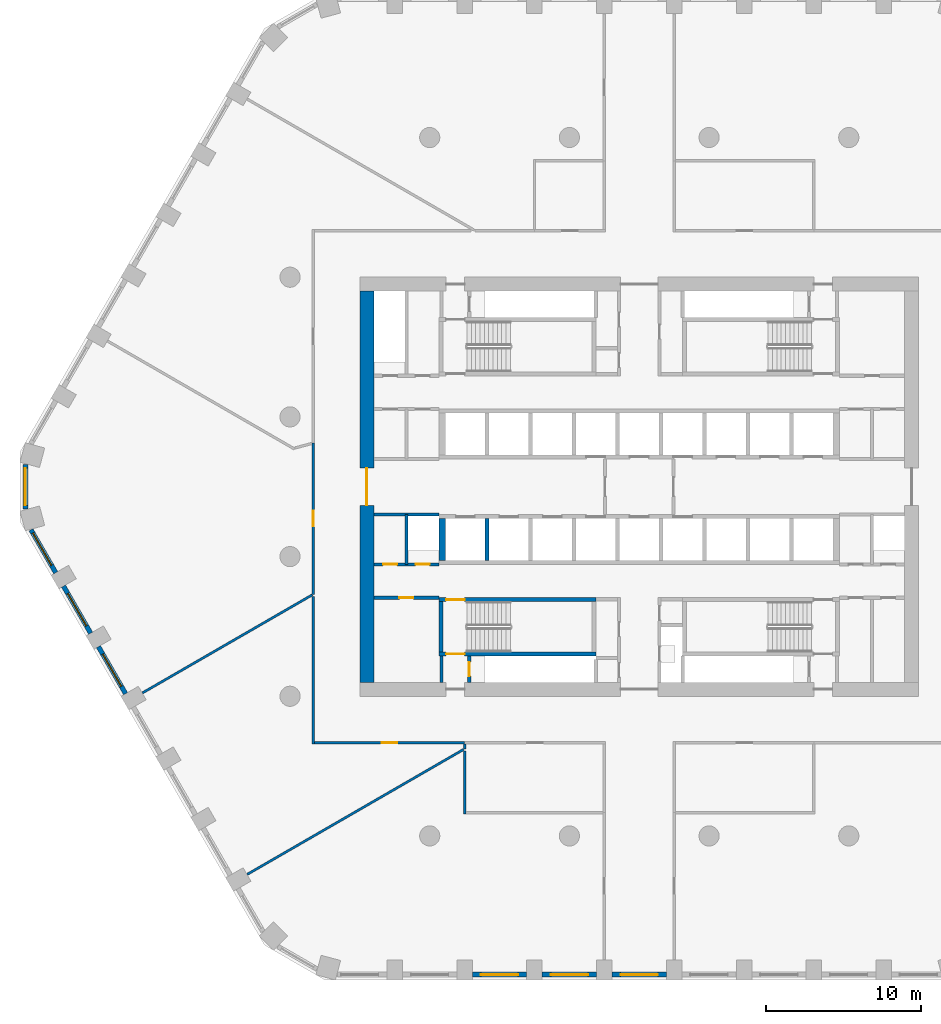
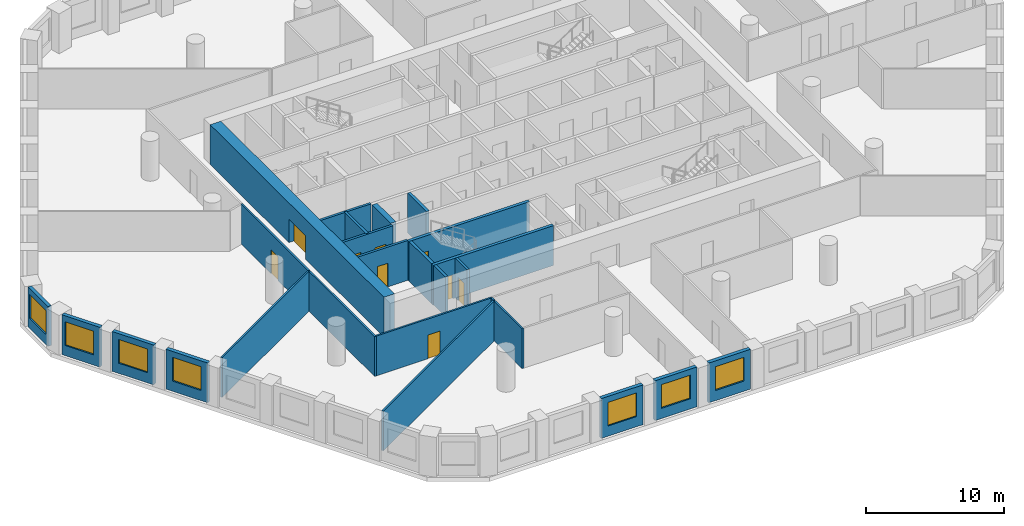
# One storey, part 2 of 10: 26 walls, 9 doors, 7 windows, 16 openings.
"""IFC4 building model written with IfcOpenShell, lengths in metres."""

from ifc_helpers import new_model, si_unit, direction, frame, frame_2d, origin, place, context, subcontext, project, spatial, polyline, rectangle, outline, extrude, material, layer, layer_set, type_object, element, fill, save


model = new_model("IFC4")

# Units and contexts
model_context = context("Model", 3, precision=1e-05, world=origin(), true_north=direction((0.0, 1.0)))
body_context = subcontext(model_context, "Body", "Model", "MODEL_VIEW")
ifc_project = project(units=[si_unit("LENGTHUNIT", "METRE"), si_unit("AREAUNIT", "SQUARE_METRE"), si_unit("VOLUMEUNIT", "CUBIC_METRE"), si_unit("PLANEANGLEUNIT", "RADIAN"), si_unit("MASSUNIT", "GRAM", prefix="KILO")], contexts=[model_context])

# Site, building, storey
site_placement = place(None, origin())
site = spatial("IfcSite", under=ifc_project, at=site_placement, CompositionType="ELEMENT")
building_placement = place(site_placement, origin())
building = spatial("IfcBuilding", under=site, at=building_placement, Name="Dhurran Vertical Campus", CompositionType="ELEMENT")
storey_placement = place(building_placement, frame((0.0, 0.0, 89.10009765625)))
storey = spatial("IfcBuildingStorey", under=building, at=storey_placement, Name="L21", CompositionType="ELEMENT", Elevation=89.10009765625)

# Wall, opening, window
ifc_material_1 = material(Name="Precast concrete C50/60", Category="concrete")
ifc_layer_1 = layer(ifc_material_1, 0.300048828125)
ifc_layer_set_1 = layer_set([ifc_layer_1], Name="Precast concrete C50/60")
wall_type_1 = type_object("IfcWallType", Name="Precast spandrel wall 300", PredefinedType="SOLIDWALL", material=ifc_layer_set_1)
wall_1_placement = place(storey_placement, frame((-10.74951171875, -31.4296875, 0.0), z_axis=(0.0, 0.0, 1.0), x_axis=(1.0, 0.0, 0.0)))
wall_1 = element("IfcWall", 1, at=wall_1_placement, inside=storey, type_object=wall_type_1, Name="EW1 L21.02", PredefinedType="SOLIDWALL", context=body_context, shape_type="SweptSolid", body=[
    extrude(rectangle(XDim=3.4990234375, YDim=0.300048828125, at=frame_2d((1.74951171875, 0.0))), origin(), (0.0, 0.0, 1.0), 3.52490234375),
])
opening_1_placement = place(wall_1_placement, frame((0.549560546875, 0.0, 0.89990234375)))
opening_1 = element("IfcOpeningElement", 2, at=opening_1_placement, cuts=wall_1, Name="Opening WT1", PredefinedType="OPENING", context=body_context, shape_type="SweptSolid", body=[
    extrude(rectangle(XDim=2.39990234375, YDim=2.10009765625, at=frame_2d((1.199951171875, 1.050048828125))), frame((0.0, 0.159912109375, 0.0), z_axis=(0.0, -1.0, 0.0), x_axis=(1.0, 0.0, 0.0)), (0.0, 0.0, 1.0), 0.320068359375),
])
ifc_material_2 = material(Name="Aluminium frame with solar-control glass", Category="aluminium")
window_type = type_object("IfcWindowType", Name="Punched window 2400 x 2100", PartitioningType="SINGLE_PANEL", PredefinedType="WINDOW", material=ifc_material_2)
window_1_placement = place(opening_1_placement, origin())
window_1 = element("IfcWindow", 3, at=window_1_placement, inside=storey, type_object=window_type, Name="WT1 L21.02", OverallHeight=2.10009765625, OverallWidth=2.39990234375, PartitioningType="SINGLE_PANEL", PredefinedType="WINDOW", context=body_context, shape_type="SweptSolid", body=[
    extrude(rectangle(XDim=2.39990234375, YDim=2.10009765625, at=frame_2d((1.199951171875, 1.050048828125))), frame((0.0, 0.030029296875, 0.0), z_axis=(0.0, -1.0, 0.0), x_axis=(1.0, 0.0, 0.0)), (0.0, 0.0, 1.0), 0.06005859375),
])
fill(opening_1, window_1)

wall_2_placement = place(storey_placement, frame((-6.24951171875, -31.4296875, 0.0), z_axis=(0.0, 0.0, 1.0), x_axis=(1.0, 0.0, 0.0)))
wall_2 = element("IfcWall", 4, at=wall_2_placement, inside=storey, type_object=wall_type_1, Name="EW1 L21.03", PredefinedType="SOLIDWALL", context=body_context, shape_type="SweptSolid", body=[
    extrude(rectangle(XDim=3.4990234375, YDim=0.300048828125, at=frame_2d((1.74951171875, 0.0))), origin(), (0.0, 0.0, 1.0), 3.52490234375),
])
opening_2_placement = place(wall_2_placement, frame((0.549560546875, 0.0, 0.89990234375)))
opening_2 = element("IfcOpeningElement", 5, at=opening_2_placement, cuts=wall_2, Name="Opening WT1", PredefinedType="OPENING", context=body_context, shape_type="SweptSolid", body=[
    extrude(rectangle(XDim=2.39990234375, YDim=2.10009765625, at=frame_2d((1.199951171875, 1.050048828125))), frame((0.0, 0.159912109375, 0.0), z_axis=(0.0, -1.0, 0.0), x_axis=(1.0, 0.0, 0.0)), (0.0, 0.0, 1.0), 0.320068359375),
])
window_2_placement = place(opening_2_placement, origin())
window_2 = element("IfcWindow", 6, at=window_2_placement, inside=storey, type_object=window_type, Name="WT1 L21.03", OverallHeight=2.10009765625, OverallWidth=2.39990234375, PartitioningType="SINGLE_PANEL", PredefinedType="WINDOW", context=body_context, shape_type="SweptSolid", body=[
    extrude(rectangle(XDim=2.39990234375, YDim=2.10009765625, at=frame_2d((1.199951171875, 1.050048828125))), frame((0.0, 0.030029296875, 0.0), z_axis=(0.0, -1.0, 0.0), x_axis=(1.0, 0.0, 0.0)), (0.0, 0.0, 1.0), 0.06005859375),
])
fill(opening_2, window_2)

wall_3_placement = place(storey_placement, frame((-1.74951171875, -31.4296875, 0.0), z_axis=(0.0, 0.0, 1.0), x_axis=(1.0, 0.0, 0.0)))
wall_3 = element("IfcWall", 7, at=wall_3_placement, inside=storey, type_object=wall_type_1, Name="EW1 L21.04", PredefinedType="SOLIDWALL", context=body_context, shape_type="SweptSolid", body=[
    extrude(rectangle(XDim=3.4990234375, YDim=0.300048828125, at=frame_2d((1.74951171875, 0.0))), origin(), (0.0, 0.0, 1.0), 3.52490234375),
])
opening_3_placement = place(wall_3_placement, frame((0.549560546875, 0.0, 0.89990234375)))
opening_3 = element("IfcOpeningElement", 8, at=opening_3_placement, cuts=wall_3, Name="Opening WT1", PredefinedType="OPENING", context=body_context, shape_type="SweptSolid", body=[
    extrude(rectangle(XDim=2.39990234375, YDim=2.10009765625, at=frame_2d((1.199951171875, 1.050048828125))), frame((0.0, 0.159912109375, 0.0), z_axis=(0.0, -1.0, 0.0), x_axis=(1.0, 0.0, 0.0)), (0.0, 0.0, 1.0), 0.320068359375),
])
window_3_placement = place(opening_3_placement, origin())
window_3 = element("IfcWindow", 9, at=window_3_placement, inside=storey, type_object=window_type, Name="WT1 L21.04", OverallHeight=2.10009765625, OverallWidth=2.39990234375, PartitioningType="SINGLE_PANEL", PredefinedType="WINDOW", context=body_context, shape_type="SweptSolid", body=[
    extrude(rectangle(XDim=2.39990234375, YDim=2.10009765625, at=frame_2d((1.199951171875, 1.050048828125))), frame((0.0, 0.030029296875, 0.0), z_axis=(0.0, -1.0, 0.0), x_axis=(1.0, 0.0, 0.0)), (0.0, 0.0, 1.0), 0.06005859375),
])
fill(opening_3, window_3)

wall_4_placement = place(storey_placement, frame((-39.547119140625, 1.44287109375, 0.0), z_axis=(0.0, 0.0, 1.0), x_axis=(0.0, -1.0, 0.0)))
wall_4 = element("IfcWall", 10, at=wall_4_placement, inside=storey, type_object=wall_type_1, Name="EW1 L21.43", PredefinedType="SOLIDWALL", context=body_context, shape_type="SweptSolid", body=[
    extrude(rectangle(XDim=2.8857421875, YDim=0.300048828125, at=frame_2d((1.44287109375, 0.0))), origin(), (0.0, 0.0, 1.0), 3.52490234375),
])
opening_4_placement = place(wall_4_placement, frame((0.242919921875, 0.0, 0.89990234375)))
opening_4 = element("IfcOpeningElement", 11, at=opening_4_placement, cuts=wall_4, Name="Opening WT1", PredefinedType="OPENING", context=body_context, shape_type="SweptSolid", body=[
    extrude(rectangle(XDim=2.39990234375, YDim=2.10009765625, at=frame_2d((1.199951171875, 1.050048828125))), frame((0.0, 0.159912109375, 0.0), z_axis=(0.0, -1.0, 0.0), x_axis=(1.0, 0.0, 0.0)), (0.0, 0.0, 1.0), 0.320068359375),
])
window_4_placement = place(opening_4_placement, origin())
window_4 = element("IfcWindow", 12, at=window_4_placement, inside=storey, type_object=window_type, Name="WT1 L21.43", OverallHeight=2.10009765625, OverallWidth=2.39990234375, PartitioningType="SINGLE_PANEL", PredefinedType="WINDOW", context=body_context, shape_type="SweptSolid", body=[
    extrude(rectangle(XDim=2.39990234375, YDim=2.10009765625, at=frame_2d((1.199951171875, 1.050048828125))), frame((0.0, 0.030029296875, 0.0), z_axis=(0.0, -1.0, 0.0), x_axis=(1.0, 0.0, 0.0)), (0.0, 0.0, 1.0), 0.06005859375),
])
fill(opening_4, window_4)

wall_5_placement = place(storey_placement, frame((-39.1904296875, -2.774169921875, 0.0), z_axis=(0.0, 0.0, 1.0), x_axis=(0.500004907028, -0.866022570692, 0.0)))
wall_5 = element("IfcWall", 13, at=wall_5_placement, inside=storey, type_object=wall_type_1, Name="EW1 L21.44", PredefinedType="SOLIDWALL", context=body_context, shape_type="SweptSolid", body=[
    extrude(rectangle(XDim=3.1923828125, YDim=0.300048828125, at=frame_2d((1.59619140625, 0.0))), origin(), (0.0, 0.0, 1.0), 3.52490234375),
])
opening_5_placement = place(wall_5_placement, frame((0.242919921875, 0.0, 0.89990234375)))
opening_5 = element("IfcOpeningElement", 14, at=opening_5_placement, cuts=wall_5, Name="Opening WT1", PredefinedType="OPENING", context=body_context, shape_type="SweptSolid", body=[
    extrude(rectangle(XDim=2.39990234375, YDim=2.10009765625, at=frame_2d((1.199951171875, 1.050048828125))), frame((0.0, 0.159912109375, 0.0), z_axis=(0.0, -1.0, 0.0), x_axis=(1.0, 0.0, 0.0)), (0.0, 0.0, 1.0), 0.320068359375),
])
window_5_placement = place(opening_5_placement, origin())
window_5 = element("IfcWindow", 15, at=window_5_placement, inside=storey, type_object=window_type, Name="WT1 L21.44", OverallHeight=2.10009765625, OverallWidth=2.39990234375, PartitioningType="SINGLE_PANEL", PredefinedType="WINDOW", context=body_context, shape_type="SweptSolid", body=[
    extrude(rectangle(XDim=2.39990234375, YDim=2.10009765625, at=frame_2d((1.199951171875, 1.050048828125))), frame((0.0, 0.030029296875, 0.0), z_axis=(0.0, -1.0, 0.0), x_axis=(1.0, 0.0, 0.0)), (0.0, 0.0, 1.0), 0.06005859375),
])
fill(opening_5, window_5)

wall_6_placement = place(storey_placement, frame((-37.09375, -6.405517578125, 0.0), z_axis=(0.0, 0.0, 1.0), x_axis=(0.499996256241, -0.866027565234, 0.0)))
wall_6 = element("IfcWall", 16, at=wall_6_placement, inside=storey, type_object=wall_type_1, Name="EW1 L21.45", PredefinedType="SOLIDWALL", context=body_context, shape_type="SweptSolid", body=[
    extrude(rectangle(XDim=3.4990234375, YDim=0.300048828125, at=frame_2d((1.74951171875, 0.0))), origin(), (0.0, 0.0, 1.0), 3.52490234375),
])
opening_6_placement = place(wall_6_placement, frame((0.549560546875, 0.0, 0.89990234375)))
opening_6 = element("IfcOpeningElement", 17, at=opening_6_placement, cuts=wall_6, Name="Opening WT1", PredefinedType="OPENING", context=body_context, shape_type="SweptSolid", body=[
    extrude(rectangle(XDim=2.39990234375, YDim=2.10009765625, at=frame_2d((1.199951171875, 1.050048828125))), frame((0.0, 0.159912109375, 0.0), z_axis=(0.0, -1.0, 0.0), x_axis=(1.0, 0.0, 0.0)), (0.0, 0.0, 1.0), 0.320068359375),
])
window_6_placement = place(opening_6_placement, origin())
window_6 = element("IfcWindow", 18, at=window_6_placement, inside=storey, type_object=window_type, Name="WT1 L21.45", OverallHeight=2.10009765625, OverallWidth=2.39990234375, PartitioningType="SINGLE_PANEL", PredefinedType="WINDOW", context=body_context, shape_type="SweptSolid", body=[
    extrude(rectangle(XDim=2.39990234375, YDim=2.10009765625, at=frame_2d((1.199951171875, 1.050048828125))), frame((0.0, 0.030029296875, 0.0), z_axis=(0.0, -1.0, 0.0), x_axis=(1.0, 0.0, 0.0)), (0.0, 0.0, 1.0), 0.06005859375),
])
fill(opening_6, window_6)

wall_7_placement = place(storey_placement, frame((-34.84375, -10.302734375, 0.0), z_axis=(0.0, 0.0, 1.0), x_axis=(0.499996256241, -0.866027565234, 0.0)))
wall_7 = element("IfcWall", 19, at=wall_7_placement, inside=storey, type_object=wall_type_1, Name="EW1 L21.46", PredefinedType="SOLIDWALL", context=body_context, shape_type="SweptSolid", body=[
    extrude(rectangle(XDim=3.4990234375, YDim=0.300048828125, at=frame_2d((1.74951171875, 0.0))), origin(), (0.0, 0.0, 1.0), 3.52490234375),
])
opening_7_placement = place(wall_7_placement, frame((0.549560546875, 0.0, 0.89990234375)))
opening_7 = element("IfcOpeningElement", 20, at=opening_7_placement, cuts=wall_7, Name="Opening WT1", PredefinedType="OPENING", context=body_context, shape_type="SweptSolid", body=[
    extrude(rectangle(XDim=2.39990234375, YDim=2.10009765625, at=frame_2d((1.199951171875, 1.050048828125))), frame((0.0, 0.159912109375, 0.0), z_axis=(0.0, -1.0, 0.0), x_axis=(1.0, 0.0, 0.0)), (0.0, 0.0, 1.0), 0.320068359375),
])
window_7_placement = place(opening_7_placement, origin())
window_7 = element("IfcWindow", 21, at=window_7_placement, inside=storey, type_object=window_type, Name="WT1 L21.46", OverallHeight=2.10009765625, OverallWidth=2.39990234375, PartitioningType="SINGLE_PANEL", PredefinedType="WINDOW", context=body_context, shape_type="SweptSolid", body=[
    extrude(rectangle(XDim=2.39990234375, YDim=2.10009765625, at=frame_2d((1.199951171875, 1.050048828125))), frame((0.0, 0.030029296875, 0.0), z_axis=(0.0, -1.0, 0.0), x_axis=(1.0, 0.0, 0.0)), (0.0, 0.0, 1.0), 0.06005859375),
])
fill(opening_7, window_7)

# Wall, opening, door
ifc_material_3 = material(Name="Concrete C60/75", Category="concrete")
ifc_layer_2 = layer(ifc_material_3, 0.89990234375)
ifc_layer_set_2 = layer_set([ifc_layer_2], Name="Concrete C60/75")
wall_type_2 = type_object("IfcWallType", Name="co-CORE-WALL-C0-900", PredefinedType="SHEAR", material=ifc_layer_set_2)
wall_8_placement = place(storey_placement, frame((-17.550048828125, -12.60009765625, 0.0), z_axis=(0.0, 0.0, 1.0), x_axis=(0.0, 1.0, 0.0)))
wall_8 = element("IfcWall", 22, at=wall_8_placement, inside=storey, type_object=wall_type_2, Name="Core wall W L21", PredefinedType="SHEAR", context=body_context, shape_type="SweptSolid", body=[
    extrude(rectangle(XDim=25.2001953125, YDim=0.89990234375, at=frame_2d((12.60009765625, 0.0))), origin(), (0.0, 0.0, 1.0), 3.52490234375),
])
opening_8_placement = place(wall_8_placement, frame((11.39990234375, 0.0, 0.0)))
opening_8 = element("IfcOpeningElement", 23, at=opening_8_placement, cuts=wall_8, Name="Opening CL1", PredefinedType="OPENING", context=body_context, shape_type="SweptSolid", body=[
    extrude(rectangle(XDim=2.39990234375, YDim=2.10009765625, at=frame_2d((1.199951171875, 1.050048828125))), frame((0.0, 0.4599609375, 0.0), z_axis=(0.0, -1.0, 0.0), x_axis=(1.0, 0.0, 0.0)), (0.0, 0.0, 1.0), 0.919921875),
])
ifc_material_4 = material(Name="Fire-rated glazed door set")
door_type_1 = type_object("IfcDoorType", Name="co-D-LOBBY 2400x2100", OperationType="DOUBLE_DOOR_DOUBLE_SWING", PredefinedType="DOOR", material=ifc_material_4)
door_1_placement = place(opening_8_placement, origin())
door_1 = element("IfcDoor", 24, at=door_1_placement, inside=storey, type_object=door_type_1, Name="Lift lobby door W L21", OperationType="DOUBLE_DOOR_DOUBLE_SWING", OverallHeight=2.10009765625, OverallWidth=2.39990234375, PredefinedType="DOOR", context=body_context, shape_type="SweptSolid", body=[
    extrude(rectangle(XDim=2.39990234375, YDim=2.10009765625, at=frame_2d((1.199951171875, 1.050048828125))), frame((0.0, 0.02490234375, 0.0), z_axis=(0.0, -1.0, 0.0), x_axis=(1.0, 0.0, 0.0)), (0.0, 0.0, 1.0), 0.050048828125),
])
fill(opening_8, door_1)

# Wall
ifc_material_5 = material(Name="Fire-rated masonry blockwork", Category="masonry")
ifc_layer_3 = layer(ifc_material_5, 0.199951171875)
ifc_layer_set_3 = layer_set([ifc_layer_3], Name="Fire-rated masonry blockwork")
wall_type_3 = type_object("IfcWallType", Name="co-FIRE-PARTITION-200", PredefinedType="PARTITIONING", material=ifc_layer_set_3)
wall_9_placement = place(storey_placement, frame((-12.75, -12.60009765625, 0.0), z_axis=(0.0, 0.0, 1.0), x_axis=(0.0, 1.0, 0.0)))
element("IfcWall", 25, at=wall_9_placement, inside=storey, type_object=wall_type_3, Name="Core partition pass-ST3-o L21", PredefinedType="PARTITIONING", context=body_context, shape_type="SweptSolid", body=[
    extrude(rectangle(XDim=1.7001953125, YDim=0.199951171875, at=frame_2d((0.85009765625, 0.0))), origin(), (0.0, 0.0, 1.0), 3.52490234375),
])

# Wall, opening, door
wall_10_placement = place(storey_placement, frame((-10.949951171875, -12.60009765625, 0.0), z_axis=(0.0, 0.0, 1.0), x_axis=(0.0, 1.0, 0.0)))
wall_10 = element("IfcWall", 26, at=wall_10_placement, inside=storey, type_object=wall_type_3, Name="Core partition pass-ST3-i L21", PredefinedType="PARTITIONING", context=body_context, shape_type="SweptSolid", body=[
    extrude(rectangle(XDim=1.7001953125, YDim=0.199951171875, at=frame_2d((0.85009765625, 0.0))), origin(), (0.0, 0.0, 1.0), 3.52490234375),
])
opening_9_placement = place(wall_10_placement, frame((0.39990234375, 0.0, 0.0)))
opening_9 = element("IfcOpeningElement", 27, at=opening_9_placement, cuts=wall_10, Name="Opening T05-C10", PredefinedType="OPENING", context=body_context, shape_type="SweptSolid", body=[
    extrude(rectangle(XDim=0.89990234375, YDim=2.10009765625, at=frame_2d((0.449951171875, 1.050048828125))), frame((0.0, 0.10986328125, 0.0), z_axis=(0.0, -1.0, 0.0), x_axis=(1.0, 0.0, 0.0)), (0.0, 0.0, 1.0), 0.219970703125),
])
ifc_material_6 = material(Name="Fire-rated timber door set", Category="wood")
door_type_2 = type_object("IfcDoorType", Name="co-D-ROOM 900x2100", OperationType="SINGLE_SWING_LEFT", PredefinedType="DOOR", material=ifc_material_6)
door_2_placement = place(opening_9_placement, origin())
door_2 = element("IfcDoor", 28, at=door_2_placement, inside=storey, type_object=door_type_2, Name="Riser room door L21", OperationType="SINGLE_SWING_LEFT", OverallHeight=2.10009765625, OverallWidth=0.89990234375, PredefinedType="DOOR", context=body_context, shape_type="SweptSolid", body=[
    extrude(rectangle(XDim=0.89990234375, YDim=2.10009765625, at=frame_2d((0.449951171875, 1.050048828125))), frame((0.0, 0.02490234375, 0.0), z_axis=(0.0, -1.0, 0.0), x_axis=(1.0, 0.0, 0.0)), (0.0, 0.0, 1.0), 0.050048828125),
])
fill(opening_9, door_2)

wall_11_placement = place(storey_placement, frame((-17.10009765625, -7.14990234375, 0.0), z_axis=(0.0, 0.0, 1.0), x_axis=(1.0, 0.0, 0.0)))
wall_11 = element("IfcWall", 29, at=wall_11_placement, inside=storey, type_object=wall_type_3, Name="Core partition en-SW-w L21", PredefinedType="PARTITIONING", context=body_context, shape_type="SweptSolid", body=[
    extrude(rectangle(XDim=4.2001953125, YDim=0.199951171875, at=frame_2d((2.10009765625, 0.0))), origin(), (0.0, 0.0, 1.0), 3.52490234375),
])
opening_10_placement = place(wall_11_placement, frame((1.64990234375, 0.0, 0.0)))
opening_10 = element("IfcOpeningElement", 30, at=opening_10_placement, cuts=wall_11, Name="Opening T05-C19", PredefinedType="OPENING", context=body_context, shape_type="SweptSolid", body=[
    extrude(rectangle(XDim=0.89990234375, YDim=2.10009765625, at=frame_2d((0.449951171875, 1.050048828125))), frame((0.0, 0.10986328125, 0.0), z_axis=(0.0, -1.0, 0.0), x_axis=(1.0, 0.0, 0.0)), (0.0, 0.0, 1.0), 0.219970703125),
])
door_3_placement = place(opening_10_placement, origin())
door_3 = element("IfcDoor", 31, at=door_3_placement, inside=storey, type_object=door_type_2, Name="Store door L21", OperationType="SINGLE_SWING_LEFT", OverallHeight=2.10009765625, OverallWidth=0.89990234375, PredefinedType="DOOR", context=body_context, shape_type="SweptSolid", body=[
    extrude(rectangle(XDim=0.89990234375, YDim=2.10009765625, at=frame_2d((0.449951171875, 1.050048828125))), frame((0.0, 0.02490234375, 0.0), z_axis=(0.0, -1.0, 0.0), x_axis=(1.0, 0.0, 0.0)), (0.0, 0.0, 1.0), 0.050048828125),
])
fill(opening_10, door_3)

# Wall
wall_12_placement = place(storey_placement, frame((-15.0, -5.0, 0.0), z_axis=(0.0, 0.0, 1.0), x_axis=(0.0, 1.0, 0.0)))
element("IfcWall", 32, at=wall_12_placement, inside=storey, type_object=wall_type_3, Name="Core partition es-SW-cut0 L21", PredefinedType="PARTITIONING", context=body_context, shape_type="SweptSolid", body=[
    extrude(rectangle(XDim=3.199951171875, YDim=0.199951171875, at=frame_2d((1.60009765625, 0.0))), origin(), (0.0, 0.0, 1.0), 3.52490234375),
])

# Wall, openings, doors
wall_13_placement = place(storey_placement, frame((-17.10009765625, -5.0, 0.0), z_axis=(0.0, 0.0, 1.0), x_axis=(1.0, 0.0, 0.0)))
wall_13 = element("IfcWall", 33, at=wall_13_placement, inside=storey, type_object=wall_type_3, Name="Core partition es-SW-w L21", PredefinedType="PARTITIONING", context=body_context, shape_type="SweptSolid", body=[
    extrude(rectangle(XDim=4.2001953125, YDim=0.199951171875, at=frame_2d((2.10009765625, 0.0))), origin(), (0.0, 0.0, 1.0), 3.52490234375),
])
opening_11_placement = place(wall_13_placement, frame((0.60009765625, 0.0, 0.0)))
opening_11 = element("IfcOpeningElement", 34, at=opening_11_placement, cuts=wall_13, Name="Opening T05-C20", PredefinedType="OPENING", context=body_context, shape_type="SweptSolid", body=[
    extrude(rectangle(XDim=0.89990234375, YDim=2.10009765625, at=frame_2d((0.449951171875, 1.050048828125))), frame((0.0, 0.10986328125, 0.0), z_axis=(0.0, -1.0, 0.0), x_axis=(1.0, 0.0, 0.0)), (0.0, 0.0, 1.0), 0.219970703125),
])
opening_12_placement = place(wall_13_placement, frame((2.699951171875, 0.0, 0.0)))
opening_12 = element("IfcOpeningElement", 35, at=opening_12_placement, cuts=wall_13, Name="Opening T05-C21", PredefinedType="OPENING", context=body_context, shape_type="SweptSolid", body=[
    extrude(rectangle(XDim=0.89990234375, YDim=2.10009765625, at=frame_2d((0.449951171875, 1.050048828125))), frame((0.0, 0.10986328125, 0.0), z_axis=(0.0, -1.0, 0.0), x_axis=(1.0, 0.0, 0.0)), (0.0, 0.0, 1.0), 0.219970703125),
])
door_4_placement = place(opening_11_placement, origin())
door_4 = element("IfcDoor", 36, at=door_4_placement, inside=storey, type_object=door_type_2, Name="Waste room door L21", OperationType="SINGLE_SWING_LEFT", OverallHeight=2.10009765625, OverallWidth=0.89990234375, PredefinedType="DOOR", context=body_context, shape_type="SweptSolid", body=[
    extrude(rectangle(XDim=0.89990234375, YDim=2.10009765625, at=frame_2d((0.449951171875, 1.050048828125))), frame((0.0, 0.02490234375, 0.0), z_axis=(0.0, -1.0, 0.0), x_axis=(1.0, 0.0, 0.0)), (0.0, 0.0, 1.0), 0.050048828125),
])
fill(opening_11, door_4)
door_5_placement = place(opening_12_placement, origin())
door_5 = element("IfcDoor", 37, at=door_5_placement, inside=storey, type_object=door_type_2, Name="Water riser door L21", OperationType="SINGLE_SWING_LEFT", OverallHeight=2.10009765625, OverallWidth=0.89990234375, PredefinedType="DOOR", context=body_context, shape_type="SweptSolid", body=[
    extrude(rectangle(XDim=0.89990234375, YDim=2.10009765625, at=frame_2d((0.449951171875, 1.050048828125))), frame((0.0, 0.02490234375, 0.0), z_axis=(0.0, -1.0, 0.0), x_axis=(1.0, 0.0, 0.0)), (0.0, 0.0, 1.0), 0.050048828125),
])
fill(opening_12, door_5)

# Walls
wall_14_placement = place(storey_placement, frame((-17.10009765625, -1.800048828125, 0.0), z_axis=(0.0, 0.0, 1.0), x_axis=(1.0, 0.0, 0.0)))
element("IfcWall", 38, at=wall_14_placement, inside=storey, type_object=wall_type_3, Name="Core partition es-SW-l L21", PredefinedType="PARTITIONING", context=body_context, shape_type="SweptSolid", body=[
    extrude(rectangle(XDim=4.2001953125, YDim=0.199951171875, at=frame_2d((2.10009765625, 0.0))), origin(), (0.0, 0.0, 1.0), 3.52490234375),
])
ifc_material_7 = material(Name="Concrete C50/60", Category="concrete")
ifc_layer_4 = layer(ifc_material_7, 0.25)
ifc_layer_set_4 = layer_set([ifc_layer_4], Name="Concrete C50/60")
wall_type_4 = type_object("IfcWallType", Name="co-SHAFT-MASS-250", PredefinedType="SHEAR", material=ifc_layer_set_4)
wall_15_placement = place(storey_placement, origin())
element("IfcWall", 39, at=wall_15_placement, inside=storey, type_object=wall_type_4, Name="Lift shaft wall S L21 2", PredefinedType="SHEAR", context=body_context, shape_type="SweptSolid", body=[
    extrude(outline(polyline([(-12.89990234375, -4.75), (-12.47509765625, -4.75), (-12.47509765625, -2.050048828125), (-12.89990234375, -2.050048828125), (-12.89990234375, -4.75)])), origin(), (0.0, 0.0, 1.0), 3.52490234375),
])
wall_16_placement = place(storey_placement, origin())
element("IfcWall", 40, at=wall_16_placement, inside=storey, type_object=wall_type_4, Name="Lift shaft wall S L21 3", PredefinedType="SHEAR", context=body_context, shape_type="SweptSolid", body=[
    extrude(outline(polyline([(-9.925048828125, -4.75), (-9.675048828125, -4.75), (-9.675048828125, -2.050048828125), (-9.925048828125, -2.050048828125), (-9.925048828125, -4.75)])), origin(), (0.0, 0.0, 1.0), 3.52490234375),
])

# Wall, opening, door
ifc_material_8 = material(Name="Concrete C40/50", Category="concrete")
ifc_layer_5 = layer(ifc_material_8, 0.25)
ifc_layer_set_5 = layer_set([ifc_layer_5], Name="Concrete C40/50")
wall_type_5 = type_object("IfcWallType", Name="co-STAIR-WALL-250", PredefinedType="SHEAR", material=ifc_layer_set_5)
wall_17_placement = place(storey_placement, frame((-12.89990234375, -10.77490234375, 0.0), z_axis=(0.0, 0.0, 1.0), x_axis=(1.0, 0.0, 0.0)))
wall_17 = element("IfcWall", 41, at=wall_17_placement, inside=storey, type_object=wall_type_5, Name="Stair ST3 enclosure wall L21", PredefinedType="SHEAR", context=body_context, shape_type="SweptSolid", body=[
    extrude(rectangle(XDim=10.099853515625, YDim=0.25, at=frame_2d((5.0498046875, 0.0))), origin(), (0.0, 0.0, 1.0), 3.52490234375),
])
opening_13_placement = place(wall_17_placement, frame((0.449951171875, 0.0, 0.0)))
opening_13 = element("IfcOpeningElement", 42, at=opening_13_placement, cuts=wall_17, Name="Opening XS3", PredefinedType="OPENING", context=body_context, shape_type="SweptSolid", body=[
    extrude(rectangle(XDim=1.199951171875, YDim=2.10009765625, at=frame_2d((0.60009765625, 1.050048828125))), frame((0.0, 0.135009765625, 0.0), z_axis=(0.0, -1.0, 0.0), x_axis=(1.0, 0.0, 0.0)), (0.0, 0.0, 1.0), 0.27001953125),
])
ifc_material_9 = material(Name="Fire-rated steel door set", Category="steel")
door_type_3 = type_object("IfcDoorType", Name="co-D-STAIR-EXIT 1200x2100", OperationType="SINGLE_SWING_RIGHT", PredefinedType="DOOR", material=ifc_material_9)
door_6_placement = place(opening_13_placement, origin())
door_6 = element("IfcDoor", 43, at=door_6_placement, inside=storey, type_object=door_type_3, Name="Stair ST3 discharge door L21", OperationType="SINGLE_SWING_RIGHT", OverallHeight=2.10009765625, OverallWidth=1.199951171875, PredefinedType="DOOR", context=body_context, shape_type="SweptSolid", body=[
    extrude(rectangle(XDim=1.199951171875, YDim=2.10009765625, at=frame_2d((0.60009765625, 1.050048828125))), frame((0.0, 0.02490234375, 0.0), z_axis=(0.0, -1.0, 0.0), x_axis=(1.0, 0.0, 0.0)), (0.0, 0.0, 1.0), 0.050048828125),
])
fill(opening_13, door_6)

wall_18_placement = place(storey_placement, frame((-12.89990234375, -7.27490234375, 0.0), z_axis=(0.0, 0.0, 1.0), x_axis=(1.0, 0.0, 0.0)))
wall_18 = element("IfcWall", 44, at=wall_18_placement, inside=storey, type_object=wall_type_5, Name="Stair ST3 enclosure wall L21", PredefinedType="SHEAR", context=body_context, shape_type="SweptSolid", body=[
    extrude(rectangle(XDim=10.099853515625, YDim=0.25, at=frame_2d((5.0498046875, 0.0))), origin(), (0.0, 0.0, 1.0), 3.52490234375),
])
opening_14_placement = place(wall_18_placement, frame((0.449951171875, 0.0, 0.0)))
opening_14 = element("IfcOpeningElement", 45, at=opening_14_placement, cuts=wall_18, Name="Opening SD3", PredefinedType="OPENING", context=body_context, shape_type="SweptSolid", body=[
    extrude(rectangle(XDim=1.199951171875, YDim=2.10009765625, at=frame_2d((0.60009765625, 1.050048828125))), frame((0.0, 0.135009765625, 0.0), z_axis=(0.0, -1.0, 0.0), x_axis=(1.0, 0.0, 0.0)), (0.0, 0.0, 1.0), 0.27001953125),
])
ifc_material_10 = material(Name="Fire-rated steel door set", Category="steel")
door_type_4 = type_object("IfcDoorType", Name="co-D-STAIR 1200x2100", OperationType="SINGLE_SWING_LEFT", PredefinedType="DOOR", material=ifc_material_10)
door_7_placement = place(opening_14_placement, origin())
door_7 = element("IfcDoor", 46, at=door_7_placement, inside=storey, type_object=door_type_4, Name="Stair ST3 door L21", OperationType="SINGLE_SWING_LEFT", OverallHeight=2.10009765625, OverallWidth=1.199951171875, PredefinedType="DOOR", context=body_context, shape_type="SweptSolid", body=[
    extrude(rectangle(XDim=1.199951171875, YDim=2.10009765625, at=frame_2d((0.60009765625, 1.050048828125))), frame((0.0, 0.02490234375, 0.0), z_axis=(0.0, -1.0, 0.0), x_axis=(1.0, 0.0, 0.0)), (0.0, 0.0, 1.0), 0.050048828125),
])
fill(opening_14, door_7)

# Walls
wall_19_placement = place(storey_placement, frame((-12.77490234375, -10.64990234375, 0.0), z_axis=(0.0, 0.0, 1.0), x_axis=(0.0, 1.0, 0.0)))
element("IfcWall", 47, at=wall_19_placement, inside=storey, type_object=wall_type_5, Name="Stair ST3 enclosure wall L21", PredefinedType="SHEAR", context=body_context, shape_type="SweptSolid", body=[
    extrude(rectangle(XDim=3.25, YDim=0.25, at=frame_2d((1.625, 0.0))), origin(), (0.0, 0.0, 1.0), 3.52490234375),
])
ifc_material_11 = material(Name="Gypsum board corridor wall on steel studs", Category="steel")
ifc_layer_6 = layer(ifc_material_11, 0.14990234375)
ifc_layer_set_6 = layer_set([ifc_layer_6], Name="Gypsum board corridor wall on steel studs")
wall_type_6 = type_object("IfcWallType", Name="fl-CW-150 corridor wall", PredefinedType="PARTITIONING", material=ifc_layer_set_6)
wall_20_placement = place(storey_placement, frame((-21.0, -7.05810546875, 0.0), z_axis=(0.0, 0.0, 1.0), x_axis=(0.0, -1.0, 0.0)))
element("IfcWall", 48, at=wall_20_placement, inside=storey, type_object=wall_type_6, Name="Partition 21-06", PredefinedType="PARTITIONING", context=body_context, shape_type="SweptSolid", body=[
    extrude(rectangle(XDim=9.516845703125, YDim=0.14990234375, at=frame_2d((4.75830078125, 0.0))), origin(), (0.0, 0.0, 1.0), 3.52490234375),
])

# Wall, opening, door
wall_21_placement = place(storey_placement, frame((-20.925048828125, -16.5, 0.0), z_axis=(0.0, 0.0, 1.0), x_axis=(1.0, 0.0, 0.0)))
wall_21 = element("IfcWall", 49, at=wall_21_placement, inside=storey, type_object=wall_type_6, Name="Partition 21-07", PredefinedType="PARTITIONING", context=body_context, shape_type="SweptSolid", body=[
    extrude(rectangle(XDim=9.675048828125, YDim=0.14990234375, at=frame_2d((4.83740234375, 0.0))), origin(), (0.0, 0.0, 1.0), 3.52490234375),
])
opening_15_placement = place(wall_21_placement, frame((4.33740234375, 0.0, 0.0)))
opening_15 = element("IfcOpeningElement", 50, at=opening_15_placement, cuts=wall_21, Name="Opening T05.03", PredefinedType="OPENING", context=body_context, shape_type="SweptSolid", body=[
    extrude(rectangle(XDim=1.0, YDim=2.10009765625, at=frame_2d((0.5, 1.050048828125))), frame((0.0, 0.0849609375, 0.0), z_axis=(0.0, -1.0, 0.0), x_axis=(1.0, 0.0, 0.0)), (0.0, 0.0, 1.0), 0.169921875),
])
ifc_material_12 = material(Name="Solid-core timber door set, fire-rated", Category="wood")
door_type_5 = type_object("IfcDoorType", Name="fl-D-1000x2100", OperationType="SINGLE_SWING_LEFT", PredefinedType="DOOR", material=ifc_material_12)
door_8_placement = place(opening_15_placement, origin())
door_8 = element("IfcDoor", 51, at=door_8_placement, inside=storey, type_object=door_type_5, Name="Door 21.03", OperationType="SINGLE_SWING_LEFT", OverallHeight=2.10009765625, OverallWidth=1.0, PredefinedType="DOOR", context=body_context, shape_type="SweptSolid", body=[
    extrude(rectangle(XDim=1.0, YDim=2.10009765625, at=frame_2d((0.5, 1.050048828125))), frame((0.0, 0.02490234375, 0.0), z_axis=(0.0, -1.0, 0.0), x_axis=(1.0, 0.0, 0.0)), (0.0, 0.0, 1.0), 0.050048828125),
])
fill(opening_15, door_8)

wall_22_placement = place(storey_placement, frame((-21.0, 2.81298828125, 0.0), z_axis=(0.0, 0.0, 1.0), x_axis=(0.0, -1.0, 0.0)))
wall_22 = element("IfcWall", 52, at=wall_22_placement, inside=storey, type_object=wall_type_6, Name="Partition 21-08", PredefinedType="PARTITIONING", context=body_context, shape_type="SweptSolid", body=[
    extrude(rectangle(XDim=9.740966796875, YDim=0.14990234375, at=frame_2d((4.87060546875, 0.0))), origin(), (0.0, 0.0, 1.0), 3.52490234375),
])
opening_16_placement = place(wall_22_placement, frame((4.37060546875, 0.0, 0.0)))
opening_16 = element("IfcOpeningElement", 53, at=opening_16_placement, cuts=wall_22, Name="Opening T05.01", PredefinedType="OPENING", context=body_context, shape_type="SweptSolid", body=[
    extrude(rectangle(XDim=1.0, YDim=2.10009765625, at=frame_2d((0.5, 1.050048828125))), frame((0.0, 0.0849609375, 0.0), z_axis=(0.0, -1.0, 0.0), x_axis=(1.0, 0.0, 0.0)), (0.0, 0.0, 1.0), 0.169921875),
])
door_9_placement = place(opening_16_placement, origin())
door_9 = element("IfcDoor", 54, at=door_9_placement, inside=storey, type_object=door_type_5, Name="Door 21.01", OperationType="SINGLE_SWING_RIGHT", OverallHeight=2.10009765625, OverallWidth=1.0, PredefinedType="DOOR", context=body_context, shape_type="SweptSolid", body=[
    extrude(rectangle(XDim=1.0, YDim=2.10009765625, at=frame_2d((0.5, 1.050048828125))), frame((0.0, 0.02490234375, 0.0), z_axis=(0.0, -1.0, 0.0), x_axis=(1.0, 0.0, 0.0)), (0.0, 0.0, 1.0), 0.050048828125),
])
fill(opening_16, door_9)

# Walls
ifc_material_13 = material(Name="Gypsum board partition on steel studs", Category="steel")
ifc_layer_7 = layer(ifc_material_13, 0.14990234375)
ifc_layer_set_7 = layer_set([ifc_layer_7], Name="Gypsum board partition on steel studs")
wall_type_7 = type_object("IfcWallType", Name="fl-PW-150 fixed partition", PredefinedType="PARTITIONING", material=ifc_layer_set_7)
wall_23_placement = place(storey_placement, frame((-21.06494140625, -6.965576171875, 0.0), z_axis=(0.0, 0.0, 1.0), x_axis=(-0.866023362995, -0.500003534735, 0.0)))
element("IfcWall", 55, at=wall_23_placement, inside=storey, type_object=wall_type_7, Name="Partition 21-02", PredefinedType="PARTITIONING", context=body_context, shape_type="SweptSolid", body=[
    extrude(rectangle(XDim=12.63134765625, YDim=0.14990234375, at=frame_2d((6.315673828125, 0.0))), origin(), (0.0, 0.0, 1.0), 3.52490234375),
])
wall_24_placement = place(storey_placement, frame((-11.31494140625, -16.924560546875, 0.0), z_axis=(0.0, 0.0, 1.0), x_axis=(-0.86600725109, -0.500031440071, 0.0)))
element("IfcWall", 56, at=wall_24_placement, inside=storey, type_object=wall_type_7, Name="Partition 21-03", PredefinedType="PARTITIONING", context=body_context, shape_type="SweptSolid", body=[
    extrude(rectangle(XDim=16.095703125, YDim=0.14990234375, at=frame_2d((8.0478515625, 0.0))), origin(), (0.0, 0.0, 1.0), 3.52490234375),
])
wall_25_placement = place(storey_placement, frame((-11.25, -17.01708984375, 0.0), z_axis=(0.0, 0.0, 1.0), x_axis=(0.0, -1.0, 0.0)))
element("IfcWall", 57, at=wall_25_placement, inside=storey, type_object=wall_type_7, Name="Partition 21-11", PredefinedType="PARTITIONING", context=body_context, shape_type="SweptSolid", body=[
    extrude(rectangle(XDim=4.057861328125, YDim=0.14990234375, at=frame_2d((2.02880859375, 0.0))), origin(), (0.0, 0.0, 1.0), 3.52490234375),
])
wall_26_placement = place(storey_placement, frame((-11.25, -16.574951171875, 0.0), z_axis=(0.0, 0.0, 1.0), x_axis=(0.0, -1.0, 0.0)))
element("IfcWall", 58, at=wall_26_placement, inside=storey, type_object=wall_type_7, Name="Partition 21-13", PredefinedType="PARTITIONING", context=body_context, shape_type="SweptSolid", body=[
    extrude(rectangle(XDim=0.31201171875, YDim=0.14990234375, at=frame_2d((0.156005859375, 0.0))), origin(), (0.0, 0.0, 1.0), 3.52490234375),
])

save(model, "model.ifc")
